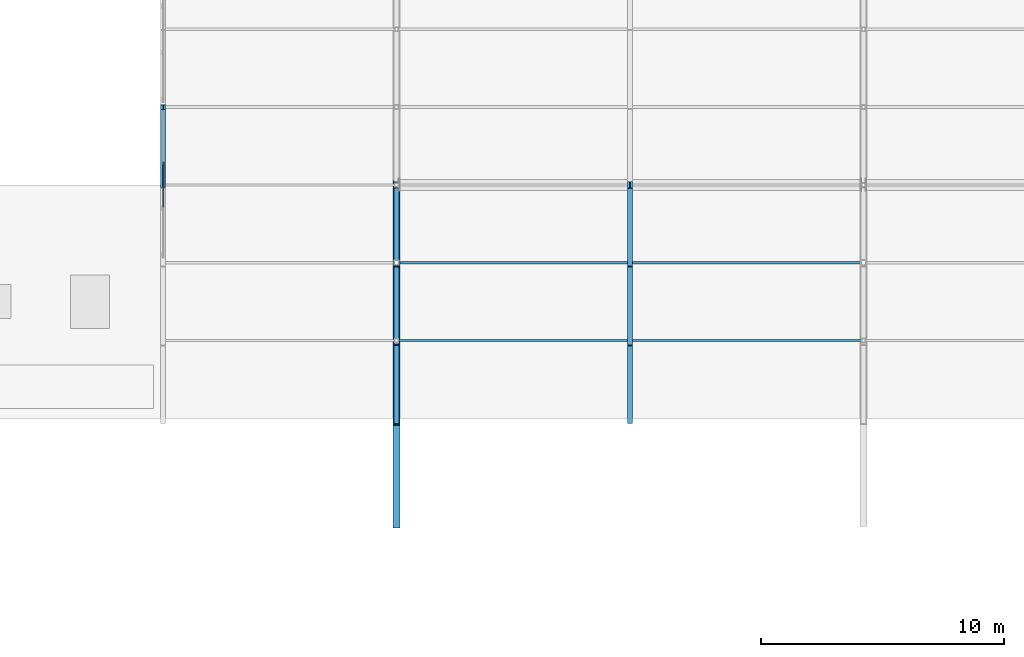
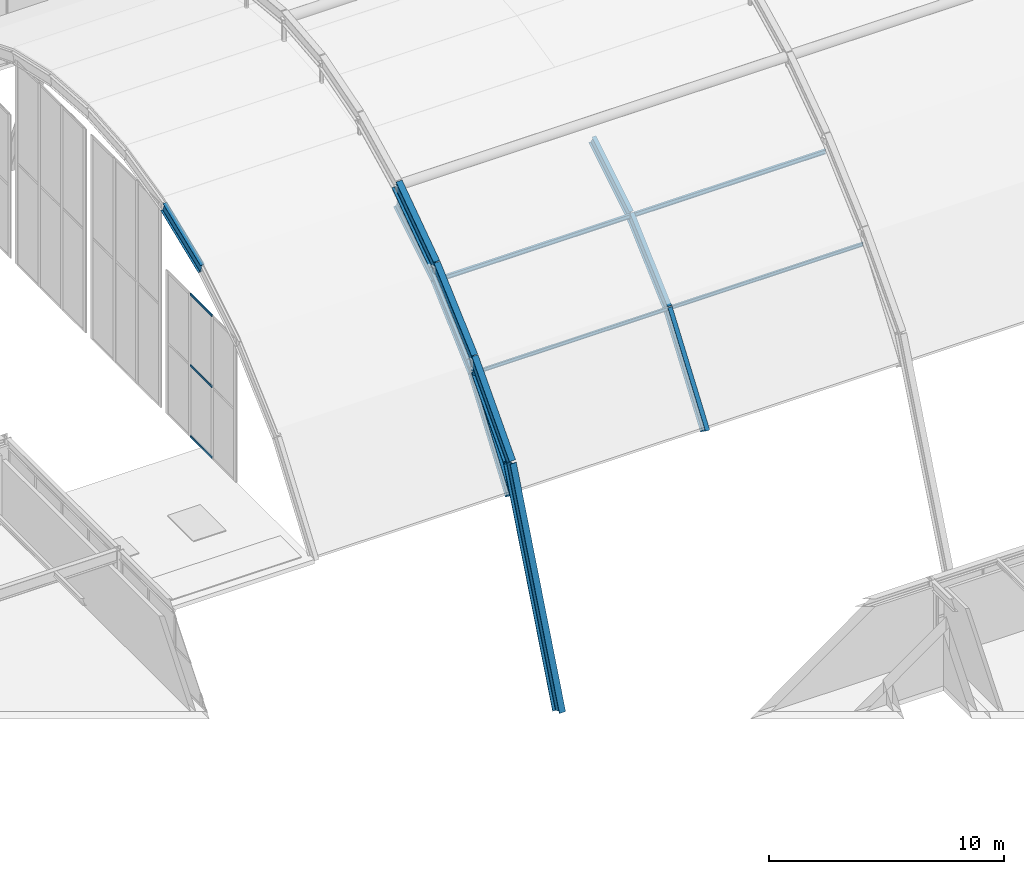
# One storey, part 40 of 126: 11 beams, 7 members, 1 element without a shape of its own.
"""IFC4 building model written with IfcOpenShell, lengths in metres."""

from ifc_helpers import new_model, si_unit, direction, frame, origin, origin_2d, place, context, subcontext, project, spatial, hollow_rectangle, i_section, extrude, material, material_profile, profile_set, type_object, element, aggregate, save


model = new_model("IFC4")

# Units and contexts
model_context = context("Model", 3, precision=1e-05, world=origin(), true_north=direction((0.0, 1.0)))
body_context = subcontext(model_context, "Body", "Model", "MODEL_VIEW")
ifc_project = project(units=[si_unit("LENGTHUNIT", "METRE"), si_unit("AREAUNIT", "SQUARE_METRE"), si_unit("VOLUMEUNIT", "CUBIC_METRE"), si_unit("PLANEANGLEUNIT", "RADIAN"), si_unit("MASSUNIT", "GRAM", prefix="KILO")], contexts=[model_context])

# Site, building, storey
site_placement = place(None, origin())
site = spatial("IfcSite", under=ifc_project, at=site_placement, CompositionType="ELEMENT")
building_placement = place(site_placement, origin())
building = spatial("IfcBuilding", under=site, at=building_placement, Name="Coralgate Yard Interchange", CompositionType="ELEMENT")
storey_placement = place(building_placement, frame((0.0, 0.0, 10.5)))
storey = spatial("IfcBuildingStorey", under=building, at=storey_placement, Name="L02", CompositionType="ELEMENT", Elevation=10.5)

# Beams
ifc_material_1 = material(Name="Yellow-ochre weather-coated structural steel S355J2", Category="steel")
ifc_material_profile_1 = material_profile(ifc_material_1, i_section(OverallWidth=0.300048828125, OverallDepth=0.64990234375, WebThickness=0.01611328125, FlangeThickness=0.031005859375, FilletRadius=0.027099609375, at=origin_2d()), Name="HEB 650")
ifc_profile_set_1 = profile_set([ifc_material_profile_1], Name="Yellow-ochre weather-coated structural steel S355J2")
beam_type_1 = type_object("IfcBeamType", Name="BM-AR-1", PredefinedType="BEAM", material=ifc_profile_set_1)
beam_1_placement = place(storey_placement, frame((48.0, 34.199951171875, -8.699951171875), z_axis=(0.0, 0.374462329793, 0.927242127799), x_axis=(-1.0, 0.0, 0.0)))
element("IfcBeam", 1, at=beam_1_placement, inside=storey, type_object=beam_type_1, Name="Yellow-ochre overarching steel arch AR-1 chord 1", PredefinedType="BEAM", context=body_context, shape_type="SweptSolid", body=[
    extrude(i_section(OverallWidth=0.300048828125, OverallDepth=0.64990234375, WebThickness=0.01611328125, FlangeThickness=0.031005859375, FilletRadius=0.027099609375, at=origin_2d()), origin(), (0.0, 0.0, 1.0), 11.216064453125),
])
beam_2_placement = place(storey_placement, frame((48.0, 38.39990234375, 1.699951171875), z_axis=(0.0, 0.673332175911, 0.739340098252), x_axis=(-1.0, 0.0, 0.0)))
element("IfcBeam", 2, at=beam_2_placement, inside=storey, type_object=beam_type_1, Name="Yellow-ochre overarching steel arch AR-1 chord 2", PredefinedType="BEAM", context=body_context, shape_type="SweptSolid", body=[
    extrude(i_section(OverallWidth=0.300048828125, OverallDepth=0.64990234375, WebThickness=0.01611328125, FlangeThickness=0.031005859375, FilletRadius=0.027099609375, at=origin_2d()), origin(), (0.0, 0.0, 1.0), 4.752685546875),
])
beam_3_placement = place(storey_placement, frame((48.0, 41.60009765625, 5.2138671875), z_axis=(0.0, 0.74386673808, 0.668327970369), x_axis=(-1.0, 0.0, 0.0)))
element("IfcBeam", 3, at=beam_3_placement, inside=storey, type_object=beam_type_1, Name="Yellow-ochre overarching steel arch AR-1 chord 3", PredefinedType="BEAM", context=body_context, shape_type="SweptSolid", body=[
    extrude(i_section(OverallWidth=0.300048828125, OverallDepth=0.64990234375, WebThickness=0.01611328125, FlangeThickness=0.031005859375, FilletRadius=0.027099609375, at=origin_2d()), origin(), (0.0, 0.0, 1.0), 4.3017578125),
])
beam_4_placement = place(storey_placement, frame((48.0, 44.800048828125, 8.0888671875), z_axis=(0.0, 0.819698802508, 0.572794791498), x_axis=(-1.0, 0.0, 0.0)))
element("IfcBeam", 4, at=beam_4_placement, inside=storey, type_object=beam_type_1, Name="Yellow-ochre overarching steel arch AR-1 chord 4", PredefinedType="BEAM", context=body_context, shape_type="SweptSolid", body=[
    extrude(i_section(OverallWidth=0.300048828125, OverallDepth=0.64990234375, WebThickness=0.01611328125, FlangeThickness=0.031005859375, FilletRadius=0.027099609375, at=origin_2d()), origin(), (0.0, 0.0, 1.0), 3.90380859375),
])
ifc_material_2 = material(Name="Weather-coated structural steel S355J2", Category="steel")
ifc_material_profile_2 = material_profile(ifc_material_2, i_section(OverallWidth=0.209228515625, OverallDepth=0.533203125, WebThickness=0.010009765625, FlangeThickness=0.015625, FilletRadius=0.0126953125, at=origin_2d()), Name="UB 533x210x92")
ifc_profile_set_2 = profile_set([ifc_material_profile_2], Name="Weather-coated structural steel S355J2")
beam_type_2 = type_object("IfcBeamType", Name="BM-VR-1", PredefinedType="BEAM", material=ifc_profile_set_2)
beam_5_placement = place(storey_placement, frame((38.39990234375, 48.0, 9.2958984375), z_axis=(0.0, 0.927713244188, 0.373293633161), x_axis=(-1.0, 0.0, 0.0)))
element("IfcBeam", 5, at=beam_5_placement, inside=storey, type_object=beam_type_2, Name="Barrel-vault gridshell rib 1 seg 4", PredefinedType="BEAM", context=body_context, shape_type="SweptSolid", body=[
    extrude(i_section(OverallWidth=0.209228515625, OverallDepth=0.533203125, WebThickness=0.010009765625, FlangeThickness=0.015625, FilletRadius=0.0126953125, at=origin_2d()), origin(), (0.0, 0.0, 1.0), 3.44921875),
])
beam_6_placement = place(storey_placement, frame((57.60009765625, 38.39990234375, -0.053466796875), z_axis=(0.0, 0.58185107692, 0.813295348743), x_axis=(-1.0, 0.0, 0.0)))
element("IfcBeam", 6, at=beam_6_placement, inside=storey, type_object=beam_type_2, Name="Barrel-vault gridshell rib 3 seg 1", PredefinedType="BEAM", context=body_context, shape_type="SweptSolid", body=[
    extrude(i_section(OverallWidth=0.209228515625, OverallDepth=0.533203125, WebThickness=0.010009765625, FlangeThickness=0.015625, FilletRadius=0.0126953125, at=origin_2d()), origin(), (0.0, 0.0, 1.0), 5.5),
])
beam_7_placement = place(storey_placement, frame((57.60009765625, 41.60009765625, 4.419677734375), z_axis=(0.0, 0.739475275209, 0.673183717387), x_axis=(-1.0, 0.0, 0.0)))
element("IfcBeam", 7, at=beam_7_placement, inside=storey, type_object=beam_type_2, Name="Barrel-vault gridshell rib 3 seg 2", PredefinedType="BEAM", context=body_context, shape_type="SweptSolid", body=[
    extrude(i_section(OverallWidth=0.209228515625, OverallDepth=0.533203125, WebThickness=0.010009765625, FlangeThickness=0.015625, FilletRadius=0.0126953125, at=origin_2d()), origin(), (0.0, 0.0, 1.0), 4.327392578125),
])
beam_8_placement = place(storey_placement, frame((57.60009765625, 44.800048828125, 7.332763671875), z_axis=(0.0, 0.852378727212, 0.522924951973), x_axis=(-1.0, 0.0, 0.0)))
element("IfcBeam", 8, at=beam_8_placement, inside=storey, type_object=beam_type_2, Name="Barrel-vault gridshell rib 3 seg 3", PredefinedType="BEAM", context=body_context, shape_type="SweptSolid", body=[
    extrude(i_section(OverallWidth=0.209228515625, OverallDepth=0.533203125, WebThickness=0.010009765625, FlangeThickness=0.015625, FilletRadius=0.0126953125, at=origin_2d()), origin(), (0.0, 0.0, 1.0), 3.754150390625),
])
ifc_material_profile_3 = material_profile(ifc_material_2, i_section(OverallWidth=0.199951171875, OverallDepth=0.5, WebThickness=0.01025390625, FlangeThickness=0.01611328125, FilletRadius=0.02099609375, at=origin_2d()), Name="IPE 500")
ifc_profile_set_3 = profile_set([ifc_material_profile_3], Name="Weather-coated structural steel S355J2")
beam_type_3 = type_object("IfcBeamType", Name="BM-VR-2", PredefinedType="BEAM", material=ifc_profile_set_3)
beam_9_placement = place(storey_placement, frame((48.0, 38.39990234375, -0.070068359375), z_axis=(0.0, 0.579004732824, 0.815324180536), x_axis=(-1.0, 0.0, 0.0)))
element("IfcBeam", 9, at=beam_9_placement, inside=storey, type_object=beam_type_3, Name="Barrel-vault gridshell rib 2 seg 1", PredefinedType="BEAM", context=body_context, shape_type="SweptSolid", body=[
    extrude(i_section(OverallWidth=0.199951171875, OverallDepth=0.5, WebThickness=0.01025390625, FlangeThickness=0.01611328125, FilletRadius=0.02099609375, at=origin_2d()), origin(), (0.0, 0.0, 1.0), 5.527099609375),
])
beam_10_placement = place(storey_placement, frame((48.0, 41.60009765625, 4.436279296875), z_axis=(0.0, 0.739475275209, 0.673183717387), x_axis=(-1.0, 0.0, 0.0)))
element("IfcBeam", 10, at=beam_10_placement, inside=storey, type_object=beam_type_3, Name="Barrel-vault gridshell rib 2 seg 2", PredefinedType="BEAM", context=body_context, shape_type="SweptSolid", body=[
    extrude(i_section(OverallWidth=0.199951171875, OverallDepth=0.5, WebThickness=0.01025390625, FlangeThickness=0.01611328125, FilletRadius=0.02099609375, at=origin_2d()), origin(), (0.0, 0.0, 1.0), 4.327392578125),
])
beam_11_placement = place(storey_placement, frame((48.0, 44.800048828125, 7.349365234375), z_axis=(0.0, 0.852378727212, 0.522924951973), x_axis=(-1.0, 0.0, 0.0)))
element("IfcBeam", 11, at=beam_11_placement, inside=storey, type_object=beam_type_3, Name="Barrel-vault gridshell rib 2 seg 3", PredefinedType="BEAM", context=body_context, shape_type="SweptSolid", body=[
    extrude(i_section(OverallWidth=0.199951171875, OverallDepth=0.5, WebThickness=0.01025390625, FlangeThickness=0.01611328125, FilletRadius=0.02099609375, at=origin_2d()), origin(), (0.0, 0.0, 1.0), 3.754150390625),
])

# Members
ifc_material_profile_4 = material_profile(ifc_material_2, i_section(OverallWidth=0.110107421875, OverallDepth=0.219970703125, WebThickness=0.005859375, FlangeThickness=0.00927734375, FilletRadius=0.011962890625, at=origin_2d()), Name="IPE 220")
ifc_profile_set_4 = profile_set([ifc_material_profile_4], Name="Weather-coated structural steel S355J2")
member_type_1 = type_object("IfcMemberType", Name="MB-PR-1", PredefinedType="PURLIN", material=ifc_profile_set_4)
for number, where, z_axis, x_axis, name in (
    (12, (48.001953125, 44.800048828125, 7.2392578125), (1.0, 0.0, 0.0), (0.0, 1.0, 0.0), "Barrel-vault gridshell purlin 2-3"),
    (13, (57.60205078125, 44.800048828125, 7.2392578125), (1.0, 0.0, 0.0), (0.0, 1.0, 0.0), "Barrel-vault gridshell purlin 3-3"),
):
    element("IfcMember", number, at=place(storey_placement, frame(where, z_axis=z_axis, x_axis=x_axis)), inside=storey, type_object=member_type_1, Name=name, PredefinedType="PURLIN", context=body_context, shape_type="SweptSolid", body=[
        extrude(i_section(OverallWidth=0.110107421875, OverallDepth=0.219970703125, WebThickness=0.005859375, FlangeThickness=0.00927734375, FilletRadius=0.011962890625, at=origin_2d()), origin(), (0.0, 0.0, 1.0), 9.595947265625),
    ])
ifc_material_3 = material(Name="Off-white architectural structural steel S355J2", Category="steel")
ifc_material_profile_5 = material_profile(ifc_material_3, i_section(OverallWidth=0.091064453125, OverallDepth=0.179931640625, WebThickness=0.00537109375, FlangeThickness=0.008056640625, FilletRadius=0.009033203125, at=origin_2d()), Name="IPE 180")
ifc_profile_set_5 = profile_set([ifc_material_profile_5], Name="Off-white architectural structural steel S355J2")
member_type_2 = type_object("IfcMemberType", Name="MB-PR-2", PredefinedType="PURLIN", material=ifc_profile_set_5)
for number, where, z_axis, x_axis, name in (
    (14, (48.001953125, 41.60009765625, 4.3662109375), (1.0, 0.0, 0.0), (0.0, 1.0, 0.0), "Barrel-vault gridshell purlin 2-2"),
    (15, (57.60205078125, 41.60009765625, 4.3662109375), (1.0, 0.0, 0.0), (0.0, 1.0, 0.0), "Barrel-vault gridshell purlin 3-2"),
):
    element("IfcMember", number, at=place(storey_placement, frame(where, z_axis=z_axis, x_axis=x_axis)), inside=storey, type_object=member_type_2, Name=name, PredefinedType="PURLIN", context=body_context, shape_type="SweptSolid", body=[
        extrude(i_section(OverallWidth=0.091064453125, OverallDepth=0.179931640625, WebThickness=0.00537109375, FlangeThickness=0.008056640625, FilletRadius=0.009033203125, at=origin_2d()), origin(), (0.0, 0.0, 1.0), 9.595947265625),
    ])

# Curtain wall, members
ifc_material_4 = material(Name="Anodised coastal aluminium and solar-control low-E glass", Category="aluminium")
curtain_wall_type = type_object("IfcCurtainWallType", Name="CW-CW-VLT-2", PredefinedType="NOTDEFINED", material=ifc_material_4)
curtain_wall_placement = place(storey_placement, origin())
curtain_wall = element("IfcCurtainWall", 16, at=curtain_wall_placement, inside=storey, type_object=curtain_wall_type, Name="L02 unitised curtain wall CW-VAULT-W-2", PredefinedType="NOTDEFINED")
ifc_material_5 = material(Name="Anodised coastal aluminium 6063-T6", Category="aluminium")
ifc_material_profile_6 = material_profile(ifc_material_5, hollow_rectangle(XDim=0.06005859375, YDim=0.1201171875, WallThickness=0.00341796875, InnerFilletRadius=0.00341796875, OuterFilletRadius=0.007080078125, at=origin_2d()), Name="ALU 60x120x3.5")
ifc_profile_set_6 = profile_set([ifc_material_profile_6], Name="Anodised coastal aluminium 6063-T6")
member_type_3 = type_object("IfcMemberType", Name="MB-TRN-120", PredefinedType="USERDEFINED", material=ifc_profile_set_6)
member_1_placement = place(storey_placement, frame((38.39990234375, 47.066650390625, 0.034912109375), z_axis=(0.0, 1.0, 0.0), x_axis=(-1.0, 0.0, 0.0)))
member_1 = element("IfcMember", 17, at=member_1_placement, type_object=member_type_3, Name="CW-VAULT-W-2 horizontal transom 2-1", ObjectType="TRANSOM", PredefinedType="USERDEFINED", context=body_context, shape_type="SweptSolid", body=[
    extrude(hollow_rectangle(XDim=0.06005859375, YDim=0.1201171875, WallThickness=0.00341796875, InnerFilletRadius=0.00341796875, OuterFilletRadius=0.007080078125, at=origin_2d()), origin(), (0.0, 0.0, 1.0), 1.86669921875),
])
member_2_placement = place(storey_placement, frame((38.39990234375, 47.066650390625, 3.716064453125), z_axis=(0.0, 1.0, 0.0), x_axis=(-1.0, 0.0, 0.0)))
member_2 = element("IfcMember", 18, at=member_2_placement, type_object=member_type_3, Name="CW-VAULT-W-2 horizontal transom 2-2", ObjectType="TRANSOM", PredefinedType="USERDEFINED", context=body_context, shape_type="SweptSolid", body=[
    extrude(hollow_rectangle(XDim=0.06005859375, YDim=0.1201171875, WallThickness=0.00341796875, InnerFilletRadius=0.00341796875, OuterFilletRadius=0.007080078125, at=origin_2d()), origin(), (0.0, 0.0, 1.0), 1.86669921875),
])
member_3_placement = place(storey_placement, frame((38.39990234375, 47.066650390625, 7.39697265625), z_axis=(0.0, 1.0, 0.0), x_axis=(-1.0, 0.0, 0.0)))
member_3 = element("IfcMember", 19, at=member_3_placement, type_object=member_type_3, Name="CW-VAULT-W-2 horizontal transom 2-3", ObjectType="TRANSOM", PredefinedType="USERDEFINED", context=body_context, shape_type="SweptSolid", body=[
    extrude(hollow_rectangle(XDim=0.06005859375, YDim=0.1201171875, WallThickness=0.00341796875, InnerFilletRadius=0.00341796875, OuterFilletRadius=0.007080078125, at=origin_2d()), origin(), (0.0, 0.0, 1.0), 1.86669921875),
])
aggregate(curtain_wall, [member_1, member_2, member_3])

save(model, "model.ifc")
